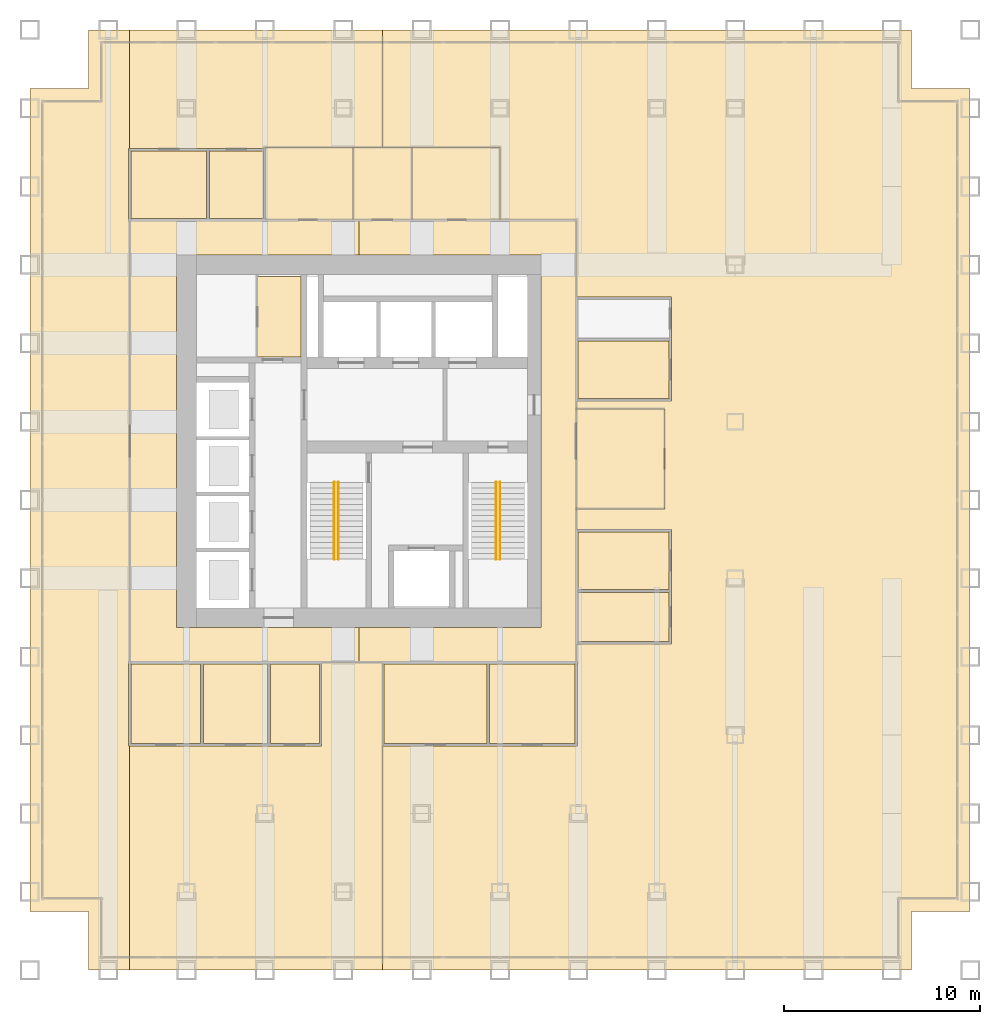
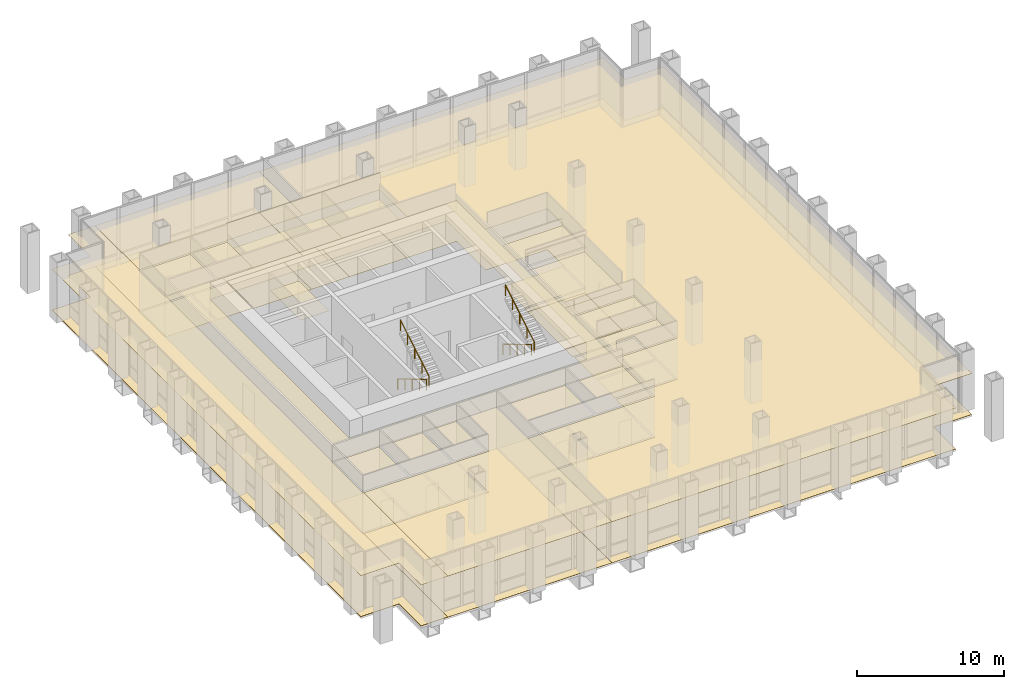
# One storey, part 15 of 16: 39 coverings, 4 railings.
"""IFC4 building model written with IfcOpenShell, lengths in metres."""

import ifcopenshell
import ifcopenshell.guid

model = None  # the IFC model being written
_history = None  # IfcOwnerHistory: only IFC2X3 demands one
_inside = {}  # id of a spatial element -> (the spatial element, [elements in it])
_under = {}  # id of a project, library or spatial element -> (it, [spatial elements below it])
_declared = {}  # id of a project -> (the project, [libraries it declares])
_typed = {}  # id of a type object -> (the type object, [elements of that type])
_made_of = {}  # id of a material, layer set ... -> (it, [elements and type objects made of it])


def new_model(schema):
    """Start an empty IFC model of exactly this schema.

    Asked for "IFC4X3", IfcOpenShell would pick the latest addendum, in which some entities
    have other attributes; the version numbers below select the first issue.
    IFC2X3 requires an IfcOwnerHistory on every rooted entity: one is made here for all.
    """
    global model, _history
    if schema == "IFC4X3":
        model = ifcopenshell.file(schema_version=(4, 3, 0, 0))
    else:
        model = ifcopenshell.file(schema=schema)
    _inside.clear()
    _under.clear()
    _declared.clear()
    _typed.clear()
    _made_of.clear()
    _history = None
    if model.schema == "IFC2X3":
        org = make("IfcOrganization", Name="unknown")
        user = make(
            "IfcPersonAndOrganization",
            ThePerson=make("IfcPerson", FamilyName="unknown"),
            TheOrganization=org,
        )
        app = make(
            "IfcApplication",
            ApplicationDeveloper=org,
            Version="unknown",
            ApplicationFullName="unknown",
            ApplicationIdentifier="unknown",
        )
        _history = make(
            "IfcOwnerHistory",
            OwningUser=user,
            OwningApplication=app,
            ChangeAction="ADDED",
            CreationDate=0,
        )
    return model


def make(cls, **values):
    """One entity of the class cls with the attributes given. An attribute that is None is left unset."""
    return model.create_entity(
        cls, **{name: value for name, value in values.items() if value is not None}
    )


def rooted(cls, **values):
    """An entity with a GlobalId (a new one), such as an element, a storey or a relation."""
    return make(cls, GlobalId=ifcopenshell.guid.new(), OwnerHistory=_history, **values)


def si_unit(unit_type, name, prefix=None):
    """IfcSIUnit, for example si_unit("LENGTHUNIT", "METRE", prefix="MILLI")."""
    return make("IfcSIUnit", UnitType=unit_type, Prefix=prefix, Name=name)


def assignment(units):
    """IfcUnitAssignment: the units of a project."""
    return None if units is None else make("IfcUnitAssignment", Units=units)


def point(xyz):
    """IfcCartesianPoint."""
    return None if xyz is None else make("IfcCartesianPoint", Coordinates=xyz)


def direction(xyz):
    """IfcDirection."""
    return None if xyz is None else make("IfcDirection", DirectionRatios=xyz)


def frame(location, z_axis=None, x_axis=None):
    """IfcAxis2Placement3D, a coordinate frame: its origin and axes. An axis left out is left unset."""
    return make(
        "IfcAxis2Placement3D",
        Location=point(location),
        Axis=direction(z_axis),
        RefDirection=direction(x_axis),
    )


def frame_2d(location, x_axis=None):
    """IfcAxis2Placement2D, a coordinate frame in the plane: its origin and x axis."""
    return make(
        "IfcAxis2Placement2D", Location=point(location), RefDirection=direction(x_axis)
    )


def origin():
    """The frame at (0, 0, 0) with its axes left unset."""
    return frame((0.0, 0.0, 0.0))


def origin_2d():
    """The frame at (0, 0) in the plane with its x axis left unset."""
    return frame_2d((0.0, 0.0))


def place(relative_to, where):
    """IfcLocalPlacement: puts the frame where relative to a parent placement (None: the world)."""
    return make(
        "IfcLocalPlacement", PlacementRelTo=relative_to, RelativePlacement=where
    )


def context(
    kind, dimensions, precision=None, world=None, true_north=None, identifier=None
):
    """IfcGeometricRepresentationContext, for example the 3D "Model" context."""
    return make(
        "IfcGeometricRepresentationContext",
        ContextIdentifier=identifier,
        ContextType=kind,
        CoordinateSpaceDimension=dimensions,
        Precision=precision,
        WorldCoordinateSystem=world,
        TrueNorth=true_north,
    )


def subcontext(parent, identifier, kind, view, scale=None):
    """IfcGeometricRepresentationSubContext, for example "Body" below "Model"."""
    return make(
        "IfcGeometricRepresentationSubContext",
        ContextIdentifier=identifier,
        ContextType=kind,
        ParentContext=parent,
        TargetScale=scale,
        TargetView=view,
    )


def project(units=None, contexts=None):
    """IfcProject with its units and contexts."""
    return rooted(
        "IfcProject",
        Name="project",
        RepresentationContexts=contexts,
        UnitsInContext=assignment(units),
    )


def spatial(cls, under=None, at=None, **own):
    """A site, building, storey or space (cls), placed at a placement, below another one or the project."""
    s = rooted(cls, ObjectPlacement=at, **own)
    if under is not None:
        _under.setdefault(under.id(), (under, []))[1].append(s)
    return s


def polyline(points):
    """IfcPolyline through the points."""
    return make("IfcPolyline", Points=[point(p) for p in points])


def profile(cls, at=None, kind="AREA", **sizes):
    """A parametric profile (cls). Its sizes go by their IFC names, for example OverallWidth=200.0."""
    return make(cls, ProfileType=kind, Position=at, **sizes)


def circle(**sizes):
    """IfcCircleProfileDef."""
    return profile("IfcCircleProfileDef", **sizes)


def outline(outer, holes=None, kind="AREA"):
    """IfcArbitraryClosedProfileDef: a profile drawn as a closed curve; with holes, ...WithVoids."""
    if holes is None:
        return make("IfcArbitraryClosedProfileDef", ProfileType=kind, OuterCurve=outer)
    return make(
        "IfcArbitraryProfileDefWithVoids",
        ProfileType=kind,
        OuterCurve=outer,
        InnerCurves=holes,
    )


def extrude(swept, where, along, depth):
    """IfcExtrudedAreaSolid: the profile swept, set in the frame where, extruded along a direction by depth."""
    return make(
        "IfcExtrudedAreaSolid",
        SweptArea=swept,
        Position=where,
        ExtrudedDirection=direction(along),
        Depth=depth,
    )


def shape(context_of_items, identifier, shape_type, items):
    """IfcShapeRepresentation: the items that make up one representation, for example the "Body"."""
    return make(
        "IfcShapeRepresentation",
        ContextOfItems=context_of_items,
        RepresentationIdentifier=identifier,
        RepresentationType=shape_type,
        Items=items,
    )


def material(Name=None, Category=None):
    """IfcMaterial."""
    return make("IfcMaterial", Name=Name, Category=Category)


def layer(
    of_material, thickness, ventilated=None, Name=None, Category=None, Priority=None
):
    """IfcMaterialLayer: one layer of a wall or slab, of a material (None: an air gap)."""
    return make(
        "IfcMaterialLayer",
        Material=of_material,
        LayerThickness=thickness,
        IsVentilated=ventilated,
        Name=Name,
        Category=Category,
        Priority=Priority,
    )


def layer_set(layers, Name=None):
    """IfcMaterialLayerSet."""
    return make("IfcMaterialLayerSet", MaterialLayers=layers, LayerSetName=Name)


def made_of(thing, what):
    """Note that an element or type object is made of a material, layer set ...; save() writes the relation."""
    if what is not None:
        _made_of.setdefault(what.id(), (what, []))[1].append(thing)
    return thing


def type_object(cls, material=None, **own):
    """A type object (cls), such as IfcWallType, which elements share."""
    return made_of(rooted(cls, **own), material)


def element(
    cls,
    number,
    at=None,
    inside=None,
    cuts=None,
    type_object=None,
    material=None,
    context=None,
    identifier="Body",
    shape_type=None,
    held_by="IfcProductDefinitionShape",
    body=None,
    shapes=None,
    **own,
):
    """One element of the class cls, such as IfcWall. Its Tag is "e" and its number.

    at: its placement. inside: the storey or other place that contains it. cuts: it is an
    opening in that element (IfcRelVoidsElement). A single representation is given by context,
    identifier, shape_type and body (its items); several are given by shapes. held_by: the class
    of the entity that holds the representations. save() writes the other relations.
    """
    e = rooted(cls, Tag="e%d" % number, ObjectPlacement=at, **own)
    if body is not None:
        shapes = [shape(context, identifier, shape_type, body)]
    if shapes is not None:
        e.Representation = make(held_by, Representations=shapes)
    if inside is not None:
        _inside.setdefault(inside.id(), (inside, []))[1].append(e)
    if cuts is not None:
        rooted(
            "IfcRelVoidsElement", RelatingBuildingElement=cuts, RelatedOpeningElement=e
        )
    if type_object is not None:
        _typed.setdefault(type_object.id(), (type_object, []))[1].append(e)
    return made_of(e, material)


def aggregate(whole, parts):
    """IfcRelAggregates: a whole, such as a stair, and the parts it consists of."""
    return rooted("IfcRelAggregates", RelatingObject=whole, RelatedObjects=parts)


def save(model, path):
    """Write the relations noted so far, then the file.

    IfcRelAggregates (storeys below a building ...), IfcRelContainedInSpatialStructure (elements
    in a storey), IfcRelDefinesByType, IfcRelAssociatesMaterial and IfcRelDeclares: one each for
    every whole, place, type object, material and project.
    """
    for whole, parts in _under.values():
        aggregate(whole, parts)
    for where, things in _inside.values():
        rooted(
            "IfcRelContainedInSpatialStructure",
            RelatedElements=things,
            RelatingStructure=where,
        )
    for kind, things in _typed.values():
        rooted("IfcRelDefinesByType", RelatedObjects=things, RelatingType=kind)
    for what, things in _made_of.values():
        rooted("IfcRelAssociatesMaterial", RelatedObjects=things, RelatingMaterial=what)
    for by, libraries in _declared.values():
        rooted("IfcRelDeclares", RelatingContext=by, RelatedDefinitions=libraries)
    model.write(path)


model = new_model("IFC4")

# Units and contexts
model_context = context("Model", 3, precision=1e-05, world=origin(), true_north=direction((0.0, 1.0)))
body_context = subcontext(model_context, "Body", "Model", "MODEL_VIEW")
ifc_project = project(units=[si_unit("LENGTHUNIT", "METRE"), si_unit("AREAUNIT", "SQUARE_METRE"), si_unit("VOLUMEUNIT", "CUBIC_METRE"), si_unit("PLANEANGLEUNIT", "RADIAN"), si_unit("MASSUNIT", "GRAM", prefix="KILO")], contexts=[model_context])

# Site, building, storey
site_placement = place(None, origin())
site = spatial("IfcSite", under=ifc_project, at=site_placement, CompositionType="ELEMENT")
building_placement = place(site_placement, origin())
building = spatial("IfcBuilding", under=site, at=building_placement, Name="Rimbunsela Tower", CompositionType="ELEMENT")
storey_placement = place(building_placement, frame((0.0, 0.0, 76.39990234375)))
storey = spatial("IfcBuildingStorey", under=building, at=storey_placement, Name="L18", CompositionType="ELEMENT", Elevation=76.39990234375)

# Coverings
ifc_material_1 = material(Name="Nylon carpet tile", Category="textile")
ifc_layer_1 = layer(ifc_material_1, 0.010009765625)
ifc_layer_set_1 = layer_set([ifc_layer_1], Name="Carpet tile 10")
covering_type_1 = type_object("IfcCoveringType", Name="Carpet tile 10", PredefinedType="FLOORING", material=ifc_layer_set_1)
covering_1_placement = place(storey_placement, origin())
element("IfcCovering", 1, at=covering_1_placement, inside=storey, type_object=covering_type_1, Name="Floor finish Business centre", PredefinedType="FLOORING", context=body_context, shape_type="SweptSolid", body=[
    extrude(outline(polyline([(18.85009765625, 11.449951171875), (22.14990234375, 11.449951171875), (22.25, 11.449951171875), (24.89990234375, 11.449951171875), (24.89990234375, 15.699951171875), (27.9990234375, 15.699951171875), (27.9990234375, 0.0), (15.10009765625, 0.0), (15.10009765625, 11.449951171875), (18.75, 11.449951171875), (18.85009765625, 11.449951171875)])), origin(), (0.0, 0.0, 1.0), 0.010009765625),
])
covering_2_placement = place(storey_placement, origin())
element("IfcCovering", 2, at=covering_2_placement, inside=storey, type_object=covering_type_1, Name="Floor finish Business centre", PredefinedType="FLOORING", context=body_context, shape_type="SweptSolid", body=[
    extrude(outline(polyline([(27.9990234375, 42.0), (22.0, 42.0), (22.0, 41.949951171875), (19.14990234375, 41.949951171875), (19.050048828125, 41.949951171875), (15.10009765625, 41.949951171875), (15.10009765625, 48.0), (27.9990234375, 48.0), (27.9990234375, 42.0)])), origin(), (0.0, 0.0, 1.0), 0.010009765625),
])
covering_3_placement = place(storey_placement, origin())
element("IfcCovering", 3, at=covering_3_placement, inside=storey, type_object=covering_type_1, Name="Floor finish Open office", PredefinedType="FLOORING", context=body_context, shape_type="SweptSolid", body=[
    extrude(outline(polyline([(28.0009765625, 11.449951171875), (33.35107421875, 11.449951171875), (33.450927734375, 11.449951171875), (37.89990234375, 11.449951171875), (37.949951171875, 11.449951171875), (37.949951171875, 15.75), (37.89990234375, 15.75), (37.89990234375, 16.64990234375), (42.75, 16.64990234375), (42.75, 19.300048828125), (42.75, 19.39990234375), (42.75, 22.5), (37.89990234375, 22.5), (37.89990234375, 23.550048828125), (42.39990234375, 23.550048828125), (42.39990234375, 28.64990234375), (37.89990234375, 28.64990234375), (37.89990234375, 29.050048828125), (42.75, 29.050048828125), (42.75, 32.14990234375), (42.75, 32.25), (42.75, 34.35009765625), (37.89990234375, 34.35009765625), (37.89990234375, 38.300048828125), (34.0, 38.300048828125), (34.0, 42.0), (28.0009765625, 42.0), (28.0009765625, 48.0), (37.89990234375, 48.0), (55.0, 48.0), (55.0, 45.0), (58.0, 45.0), (58.0, 3.0), (55.0, 3.0), (55.0, 0.0), (37.89990234375, 0.0), (28.0009765625, 0.0), (28.0009765625, 11.449951171875)])), origin(), (0.0, 0.0, 1.0), 0.010009765625),
])
covering_4_placement = place(storey_placement, origin())
element("IfcCovering", 4, at=covering_4_placement, inside=storey, type_object=covering_type_1, Name="Floor finish Reception", PredefinedType="FLOORING", context=body_context, shape_type="SweptSolid", body=[
    extrude(outline(polyline([(42.39990234375, 23.550048828125), (42.39990234375, 28.64990234375), (37.89990234375, 28.64990234375), (37.89990234375, 23.550048828125), (42.39990234375, 23.550048828125)])), origin(), (0.0, 0.0, 1.0), 0.010009765625),
])
covering_5_placement = place(storey_placement, origin())
element("IfcCovering", 5, at=covering_5_placement, inside=storey, type_object=covering_type_1, Name="Floor finish Meeting room", PredefinedType="FLOORING", context=body_context, shape_type="SweptSolid", body=[
    extrude(outline(polyline([(18.72509765625, 11.574951171875), (18.72509765625, 15.625), (15.175048828125, 15.625), (15.175048828125, 11.574951171875), (18.72509765625, 11.574951171875)])), origin(), (0.0, 0.0, 1.0), 0.010009765625),
])
covering_6_placement = place(storey_placement, origin())
element("IfcCovering", 6, at=covering_6_placement, inside=storey, type_object=covering_type_1, Name="Floor finish Pantry", PredefinedType="FLOORING", context=body_context, shape_type="SweptSolid", body=[
    extrude(outline(polyline([(22.125, 11.574951171875), (22.125, 15.625), (18.875, 15.625), (18.875, 11.574951171875), (22.125, 11.574951171875)])), origin(), (0.0, 0.0, 1.0), 0.010009765625),
])
covering_7_placement = place(storey_placement, origin())
element("IfcCovering", 7, at=covering_7_placement, inside=storey, type_object=covering_type_1, Name="Floor finish Print and copy room", PredefinedType="FLOORING", context=body_context, shape_type="SweptSolid", body=[
    extrude(outline(polyline([(24.77490234375, 11.574951171875), (24.77490234375, 15.625), (22.27490234375, 15.625), (22.27490234375, 11.574951171875), (24.77490234375, 11.574951171875)])), origin(), (0.0, 0.0, 1.0), 0.010009765625),
])
covering_8_placement = place(storey_placement, origin())
element("IfcCovering", 8, at=covering_8_placement, inside=storey, type_object=covering_type_1, Name="Floor finish Serviced office", PredefinedType="FLOORING", context=body_context, shape_type="SweptSolid", body=[
    extrude(outline(polyline([(19.02490234375, 38.375), (19.02490234375, 41.824951171875), (15.175048828125, 41.824951171875), (15.175048828125, 38.375), (19.02490234375, 38.375)])), origin(), (0.0, 0.0, 1.0), 0.010009765625),
])
covering_9_placement = place(storey_placement, origin())
element("IfcCovering", 9, at=covering_9_placement, inside=storey, type_object=covering_type_1, Name="Floor finish Concierge", PredefinedType="FLOORING", context=body_context, shape_type="SweptSolid", body=[
    extrude(outline(polyline([(21.925048828125, 38.375), (21.925048828125, 41.824951171875), (19.175048828125, 41.824951171875), (19.175048828125, 38.375), (21.925048828125, 38.375)])), origin(), (0.0, 0.0, 1.0), 0.010009765625),
])
covering_10_placement = place(storey_placement, origin())
element("IfcCovering", 10, at=covering_10_placement, inside=storey, type_object=covering_type_1, Name="Floor finish Meeting room", PredefinedType="FLOORING", context=body_context, shape_type="SweptSolid", body=[
    extrude(outline(polyline([(33.325927734375, 11.574951171875), (33.325927734375, 15.625), (28.075927734375, 15.625), (28.075927734375, 11.574951171875), (33.325927734375, 11.574951171875)])), origin(), (0.0, 0.0, 1.0), 0.010009765625),
])
covering_11_placement = place(storey_placement, origin())
element("IfcCovering", 11, at=covering_11_placement, inside=storey, type_object=covering_type_1, Name="Floor finish Pantry", PredefinedType="FLOORING", context=body_context, shape_type="SweptSolid", body=[
    extrude(outline(polyline([(37.824951171875, 11.574951171875), (37.824951171875, 15.625), (33.47607421875, 15.625), (33.47607421875, 11.574951171875), (37.824951171875, 11.574951171875)])), origin(), (0.0, 0.0, 1.0), 0.010009765625),
])
covering_12_placement = place(storey_placement, origin())
element("IfcCovering", 12, at=covering_12_placement, inside=storey, type_object=covering_type_1, Name="Floor finish Print and copy room", PredefinedType="FLOORING", context=body_context, shape_type="SweptSolid", body=[
    extrude(outline(polyline([(42.625, 16.77490234375), (42.625, 19.27490234375), (37.97509765625, 19.27490234375), (37.97509765625, 16.77490234375), (42.625, 16.77490234375)])), origin(), (0.0, 0.0, 1.0), 0.010009765625),
])
covering_13_placement = place(storey_placement, origin())
element("IfcCovering", 13, at=covering_13_placement, inside=storey, type_object=covering_type_1, Name="Floor finish Office", PredefinedType="FLOORING", context=body_context, shape_type="SweptSolid", body=[
    extrude(outline(polyline([(42.625, 19.425048828125), (42.625, 22.375), (37.97509765625, 22.375), (37.97509765625, 19.425048828125), (42.625, 19.425048828125)])), origin(), (0.0, 0.0, 1.0), 0.010009765625),
])
covering_14_placement = place(storey_placement, origin())
element("IfcCovering", 14, at=covering_14_placement, inside=storey, type_object=covering_type_1, Name="Floor finish Office", PredefinedType="FLOORING", context=body_context, shape_type="SweptSolid", body=[
    extrude(outline(polyline([(42.625, 29.175048828125), (42.625, 32.125), (37.97509765625, 32.125), (37.97509765625, 29.175048828125), (42.625, 29.175048828125)])), origin(), (0.0, 0.0, 1.0), 0.010009765625),
])
ifc_material_2 = material(Name="Mineral fibre ceiling tile", Category="gypsum")
ifc_layer_2 = layer(ifc_material_2, 0.02001953125)
ifc_layer_set_2 = layer_set([ifc_layer_2], Name="Ceiling 600 grid")
covering_type_2 = type_object("IfcCoveringType", Name="Ceiling 600 grid", PredefinedType="CEILING", material=ifc_layer_set_2)
covering_15_placement = place(storey_placement, frame((0.0, 0.0, 3.400146484375)))
element("IfcCovering", 15, at=covering_15_placement, inside=storey, type_object=covering_type_2, Name="Ceiling Staff pantry", PredefinedType="CEILING", context=body_context, shape_type="SweptSolid", body=[
    extrude(outline(polyline([(23.85009765625, 31.300048828125), (23.85009765625, 35.39990234375), (21.60009765625, 35.39990234375), (21.60009765625, 31.300048828125), (23.85009765625, 31.300048828125)])), origin(), (0.0, 0.0, 1.0), 0.02001953125),
])
covering_16_placement = place(storey_placement, frame((0.0, 0.0, 3.400146484375)))
element("IfcCovering", 16, at=covering_16_placement, inside=storey, type_object=covering_type_2, Name="Ceiling Ring corridor", PredefinedType="CEILING", context=body_context, shape_type="SweptSolid", body=[
    extrude(outline(polyline([(15.10009765625, 38.300048828125), (26.800048828125, 38.300048828125), (26.800048828125, 36.5), (17.5, 36.5), (17.5, 17.5), (26.800048828125, 17.5), (26.800048828125, 15.699951171875), (15.10009765625, 15.699951171875), (15.10009765625, 38.300048828125)])), origin(), (0.0, 0.0, 1.0), 0.02001953125),
])
covering_17_placement = place(storey_placement, frame((0.0, 0.0, 3.400146484375)))
element("IfcCovering", 17, at=covering_17_placement, inside=storey, type_object=covering_type_2, Name="Ceiling Ring corridor", PredefinedType="CEILING", context=body_context, shape_type="SweptSolid", body=[
    extrude(outline(polyline([(37.89990234375, 38.300048828125), (37.89990234375, 15.699951171875), (26.800048828125, 15.699951171875), (26.800048828125, 17.5), (36.10009765625, 17.5), (36.10009765625, 36.5), (26.800048828125, 36.5), (26.800048828125, 38.300048828125), (37.89990234375, 38.300048828125)])), origin(), (0.0, 0.0, 1.0), 0.02001953125),
])
covering_18_placement = place(storey_placement, frame((0.0, 0.0, 3.400146484375)))
element("IfcCovering", 18, at=covering_18_placement, inside=storey, type_object=covering_type_2, Name="Ceiling Business centre", PredefinedType="CEILING", context=body_context, shape_type="SweptSolid", body=[
    extrude(outline(polyline([(18.85009765625, 11.449951171875), (22.14990234375, 11.449951171875), (22.25, 11.449951171875), (24.89990234375, 11.449951171875), (24.89990234375, 15.699951171875), (27.9990234375, 15.699951171875), (27.9990234375, 0.0), (15.10009765625, 0.0), (15.10009765625, 11.449951171875), (18.75, 11.449951171875), (18.85009765625, 11.449951171875)])), origin(), (0.0, 0.0, 1.0), 0.02001953125),
])
covering_19_placement = place(storey_placement, frame((0.0, 0.0, 3.400146484375)))
element("IfcCovering", 19, at=covering_19_placement, inside=storey, type_object=covering_type_2, Name="Ceiling Business centre", PredefinedType="CEILING", context=body_context, shape_type="SweptSolid", body=[
    extrude(outline(polyline([(27.9990234375, 42.0), (22.0, 42.0), (22.0, 41.949951171875), (19.14990234375, 41.949951171875), (19.050048828125, 41.949951171875), (15.10009765625, 41.949951171875), (15.10009765625, 48.0), (27.9990234375, 48.0), (27.9990234375, 42.0)])), origin(), (0.0, 0.0, 1.0), 0.02001953125),
])
covering_20_placement = place(storey_placement, frame((0.0, 0.0, 3.400146484375)))
element("IfcCovering", 20, at=covering_20_placement, inside=storey, type_object=covering_type_2, Name="Ceiling Open office", PredefinedType="CEILING", context=body_context, shape_type="SweptSolid", body=[
    extrude(outline(polyline([(28.0009765625, 11.449951171875), (33.35107421875, 11.449951171875), (33.450927734375, 11.449951171875), (37.89990234375, 11.449951171875), (37.949951171875, 11.449951171875), (37.949951171875, 15.75), (37.89990234375, 15.75), (37.89990234375, 16.64990234375), (42.75, 16.64990234375), (42.75, 19.300048828125), (42.75, 19.39990234375), (42.75, 22.5), (37.89990234375, 22.5), (37.89990234375, 23.550048828125), (42.39990234375, 23.550048828125), (42.39990234375, 28.64990234375), (37.89990234375, 28.64990234375), (37.89990234375, 29.050048828125), (42.75, 29.050048828125), (42.75, 32.14990234375), (42.75, 32.25), (42.75, 34.35009765625), (37.89990234375, 34.35009765625), (37.89990234375, 38.300048828125), (34.0, 38.300048828125), (34.0, 42.0), (28.0009765625, 42.0), (28.0009765625, 48.0), (37.89990234375, 48.0), (55.0, 48.0), (55.0, 45.0), (58.0, 45.0), (58.0, 3.0), (55.0, 3.0), (55.0, 0.0), (37.89990234375, 0.0), (28.0009765625, 0.0), (28.0009765625, 11.449951171875)])), origin(), (0.0, 0.0, 1.0), 0.02001953125),
])
covering_21_placement = place(storey_placement, frame((0.0, 0.0, 3.400146484375)))
element("IfcCovering", 21, at=covering_21_placement, inside=storey, type_object=covering_type_2, Name="Ceiling Reception", PredefinedType="CEILING", context=body_context, shape_type="SweptSolid", body=[
    extrude(outline(polyline([(42.39990234375, 23.550048828125), (42.39990234375, 28.64990234375), (37.89990234375, 28.64990234375), (37.89990234375, 23.550048828125), (42.39990234375, 23.550048828125)])), origin(), (0.0, 0.0, 1.0), 0.02001953125),
])
covering_22_placement = place(storey_placement, frame((0.0, 0.0, 3.400146484375)))
element("IfcCovering", 22, at=covering_22_placement, inside=storey, type_object=covering_type_2, Name="Ceiling Meeting room", PredefinedType="CEILING", context=body_context, shape_type="SweptSolid", body=[
    extrude(outline(polyline([(18.72509765625, 11.574951171875), (18.72509765625, 15.625), (15.175048828125, 15.625), (15.175048828125, 11.574951171875), (18.72509765625, 11.574951171875)])), origin(), (0.0, 0.0, 1.0), 0.02001953125),
])
covering_23_placement = place(storey_placement, frame((0.0, 0.0, 3.400146484375)))
element("IfcCovering", 23, at=covering_23_placement, inside=storey, type_object=covering_type_2, Name="Ceiling Pantry", PredefinedType="CEILING", context=body_context, shape_type="SweptSolid", body=[
    extrude(outline(polyline([(22.125, 11.574951171875), (22.125, 15.625), (18.875, 15.625), (18.875, 11.574951171875), (22.125, 11.574951171875)])), origin(), (0.0, 0.0, 1.0), 0.02001953125),
])
covering_24_placement = place(storey_placement, frame((0.0, 0.0, 3.400146484375)))
element("IfcCovering", 24, at=covering_24_placement, inside=storey, type_object=covering_type_2, Name="Ceiling Print and copy room", PredefinedType="CEILING", context=body_context, shape_type="SweptSolid", body=[
    extrude(outline(polyline([(24.77490234375, 11.574951171875), (24.77490234375, 15.625), (22.27490234375, 15.625), (22.27490234375, 11.574951171875), (24.77490234375, 11.574951171875)])), origin(), (0.0, 0.0, 1.0), 0.02001953125),
])
covering_25_placement = place(storey_placement, frame((0.0, 0.0, 3.400146484375)))
element("IfcCovering", 25, at=covering_25_placement, inside=storey, type_object=covering_type_2, Name="Ceiling Serviced office", PredefinedType="CEILING", context=body_context, shape_type="SweptSolid", body=[
    extrude(outline(polyline([(19.02490234375, 38.375), (19.02490234375, 41.824951171875), (15.175048828125, 41.824951171875), (15.175048828125, 38.375), (19.02490234375, 38.375)])), origin(), (0.0, 0.0, 1.0), 0.02001953125),
])
covering_26_placement = place(storey_placement, frame((0.0, 0.0, 3.400146484375)))
element("IfcCovering", 26, at=covering_26_placement, inside=storey, type_object=covering_type_2, Name="Ceiling Concierge", PredefinedType="CEILING", context=body_context, shape_type="SweptSolid", body=[
    extrude(outline(polyline([(21.925048828125, 38.375), (21.925048828125, 41.824951171875), (19.175048828125, 41.824951171875), (19.175048828125, 38.375), (21.925048828125, 38.375)])), origin(), (0.0, 0.0, 1.0), 0.02001953125),
])
covering_27_placement = place(storey_placement, frame((0.0, 0.0, 3.400146484375)))
element("IfcCovering", 27, at=covering_27_placement, inside=storey, type_object=covering_type_2, Name="Ceiling Meeting room", PredefinedType="CEILING", context=body_context, shape_type="SweptSolid", body=[
    extrude(outline(polyline([(33.325927734375, 11.574951171875), (33.325927734375, 15.625), (28.075927734375, 15.625), (28.075927734375, 11.574951171875), (33.325927734375, 11.574951171875)])), origin(), (0.0, 0.0, 1.0), 0.02001953125),
])
covering_28_placement = place(storey_placement, frame((0.0, 0.0, 3.400146484375)))
element("IfcCovering", 28, at=covering_28_placement, inside=storey, type_object=covering_type_2, Name="Ceiling Pantry", PredefinedType="CEILING", context=body_context, shape_type="SweptSolid", body=[
    extrude(outline(polyline([(37.824951171875, 11.574951171875), (37.824951171875, 15.625), (33.47607421875, 15.625), (33.47607421875, 11.574951171875), (37.824951171875, 11.574951171875)])), origin(), (0.0, 0.0, 1.0), 0.02001953125),
])
covering_29_placement = place(storey_placement, frame((0.0, 0.0, 3.400146484375)))
element("IfcCovering", 29, at=covering_29_placement, inside=storey, type_object=covering_type_2, Name="Ceiling Print and copy room", PredefinedType="CEILING", context=body_context, shape_type="SweptSolid", body=[
    extrude(outline(polyline([(42.625, 16.77490234375), (42.625, 19.27490234375), (37.97509765625, 19.27490234375), (37.97509765625, 16.77490234375), (42.625, 16.77490234375)])), origin(), (0.0, 0.0, 1.0), 0.02001953125),
])
covering_30_placement = place(storey_placement, frame((0.0, 0.0, 3.400146484375)))
element("IfcCovering", 30, at=covering_30_placement, inside=storey, type_object=covering_type_2, Name="Ceiling Office", PredefinedType="CEILING", context=body_context, shape_type="SweptSolid", body=[
    extrude(outline(polyline([(42.625, 19.425048828125), (42.625, 22.375), (37.97509765625, 22.375), (37.97509765625, 19.425048828125), (42.625, 19.425048828125)])), origin(), (0.0, 0.0, 1.0), 0.02001953125),
])
covering_31_placement = place(storey_placement, frame((0.0, 0.0, 3.400146484375)))
element("IfcCovering", 31, at=covering_31_placement, inside=storey, type_object=covering_type_2, Name="Ceiling Office", PredefinedType="CEILING", context=body_context, shape_type="SweptSolid", body=[
    extrude(outline(polyline([(42.625, 29.175048828125), (42.625, 32.125), (37.97509765625, 32.125), (37.97509765625, 29.175048828125), (42.625, 29.175048828125)])), origin(), (0.0, 0.0, 1.0), 0.02001953125),
])
ifc_material_3 = material(Name="Moisture-resistant plasterboard ceiling", Category="gypsum")
ifc_layer_3 = layer(ifc_material_3, 0.012451171875)
ifc_layer_set_3 = layer_set([ifc_layer_3], Name="Ceiling moisture-resistant board")
covering_type_3 = type_object("IfcCoveringType", Name="Ceiling moisture-resistant board", PredefinedType="CEILING", material=ifc_layer_set_3)
covering_32_placement = place(storey_placement, frame((0.0, 0.0, 2.60009765625)))
element("IfcCovering", 32, at=covering_32_placement, inside=storey, type_object=covering_type_3, Name="Ceiling Female WC", PredefinedType="CEILING", context=body_context, shape_type="SweptSolid", body=[
    extrude(outline(polyline([(26.5, 38.300048828125), (26.5, 42.0), (22.0, 42.0), (22.0, 38.300048828125), (26.5, 38.300048828125)])), origin(), (0.0, 0.0, 1.0), 0.02001953125),
])
covering_33_placement = place(storey_placement, frame((0.0, 0.0, 2.60009765625)))
element("IfcCovering", 33, at=covering_33_placement, inside=storey, type_object=covering_type_3, Name="Ceiling Accessible WC", PredefinedType="CEILING", context=body_context, shape_type="SweptSolid", body=[
    extrude(outline(polyline([(29.5, 38.300048828125), (29.5, 42.0), (26.5, 42.0), (26.5, 38.300048828125), (29.5, 38.300048828125)])), origin(), (0.0, 0.0, 1.0), 0.02001953125),
])
covering_34_placement = place(storey_placement, frame((0.0, 0.0, 2.60009765625)))
element("IfcCovering", 34, at=covering_34_placement, inside=storey, type_object=covering_type_3, Name="Ceiling Male WC", PredefinedType="CEILING", context=body_context, shape_type="SweptSolid", body=[
    extrude(outline(polyline([(34.0, 38.300048828125), (34.0, 42.0), (29.5, 42.0), (29.5, 38.300048828125), (34.0, 38.300048828125)])), origin(), (0.0, 0.0, 1.0), 0.02001953125),
])
ifc_material_4 = material(Name="Timber slat ceiling on suspension grid", Category="wood")
ifc_layer_4 = layer(ifc_material_4, 0.0400390625)
ifc_layer_set_4 = layer_set([ifc_layer_4], Name="Ceiling timber slat")
covering_type_4 = type_object("IfcCoveringType", Name="Ceiling timber slat", PredefinedType="CEILING", material=ifc_layer_set_4)
covering_35_placement = place(storey_placement, frame((0.0, 0.0, 3.400146484375)))
element("IfcCovering", 35, at=covering_35_placement, inside=storey, type_object=covering_type_4, Name="Ceiling Sky lobby", PredefinedType="CEILING", context=body_context, shape_type="SweptSolid", body=[
    extrude(outline(polyline([(15.10009765625, 48.0), (15.10009765625, 41.949951171875), (15.050048828125, 41.949951171875), (15.050048828125, 38.25), (15.10009765625, 38.25), (15.10009765625, 15.75), (15.050048828125, 15.75), (15.050048828125, 11.449951171875), (15.10009765625, 11.449951171875), (15.10009765625, 0.0), (13.0, 0.0), (13.0, 3.0), (10.0, 3.0), (10.0, 45.0), (13.0, 45.0), (13.0, 48.0), (15.10009765625, 48.0)])), origin(), (0.0, 0.0, 1.0), 0.02001953125),
])
ifc_material_5 = material(Name="Honed granite floor on mortar bed", Category="masonry")
ifc_layer_5 = layer(ifc_material_5, 0.030029296875)
ifc_layer_set_5 = layer_set([ifc_layer_5], Name="Granite floor 30")
covering_type_5 = type_object("IfcCoveringType", Name="Granite floor 30", PredefinedType="FLOORING", material=ifc_layer_set_5)
covering_36_placement = place(storey_placement, origin())
element("IfcCovering", 36, at=covering_36_placement, inside=storey, type_object=covering_type_5, Name="Floor finish Sky lobby", PredefinedType="FLOORING", context=body_context, shape_type="SweptSolid", body=[
    extrude(outline(polyline([(15.10009765625, 48.0), (15.10009765625, 41.949951171875), (15.050048828125, 41.949951171875), (15.050048828125, 38.25), (15.10009765625, 38.25), (15.10009765625, 15.75), (15.050048828125, 15.75), (15.050048828125, 11.449951171875), (15.10009765625, 11.449951171875), (15.10009765625, 0.0), (13.0, 0.0), (13.0, 3.0), (10.0, 3.0), (10.0, 45.0), (13.0, 45.0), (13.0, 48.0), (15.10009765625, 48.0)])), origin(), (0.0, 0.0, 1.0), 0.030029296875),
])
ifc_material_6 = material(Name="Porcelain floor tile in adhesive bed", Category="ceramic")
ifc_layer_6 = layer(ifc_material_6, 0.02001953125)
ifc_layer_set_6 = layer_set([ifc_layer_6], Name="Porcelain tile 20")
covering_type_6 = type_object("IfcCoveringType", Name="Porcelain tile 20", PredefinedType="FLOORING", material=ifc_layer_set_6)
covering_37_placement = place(storey_placement, origin())
element("IfcCovering", 37, at=covering_37_placement, inside=storey, type_object=covering_type_6, Name="Floor finish Female WC", PredefinedType="FLOORING", context=body_context, shape_type="SweptSolid", body=[
    extrude(outline(polyline([(26.5, 38.300048828125), (26.5, 42.0), (22.0, 42.0), (22.0, 38.300048828125), (26.5, 38.300048828125)])), origin(), (0.0, 0.0, 1.0), 0.02001953125),
])
covering_38_placement = place(storey_placement, origin())
element("IfcCovering", 38, at=covering_38_placement, inside=storey, type_object=covering_type_6, Name="Floor finish Accessible WC", PredefinedType="FLOORING", context=body_context, shape_type="SweptSolid", body=[
    extrude(outline(polyline([(29.5, 38.300048828125), (29.5, 42.0), (26.5, 42.0), (26.5, 38.300048828125), (29.5, 38.300048828125)])), origin(), (0.0, 0.0, 1.0), 0.02001953125),
])
covering_39_placement = place(storey_placement, origin())
element("IfcCovering", 39, at=covering_39_placement, inside=storey, type_object=covering_type_6, Name="Floor finish Male WC", PredefinedType="FLOORING", context=body_context, shape_type="SweptSolid", body=[
    extrude(outline(polyline([(34.0, 38.300048828125), (34.0, 42.0), (29.5, 42.0), (29.5, 38.300048828125), (34.0, 38.300048828125)])), origin(), (0.0, 0.0, 1.0), 0.02001953125),
])

# Railings
ifc_material_7 = material(Name="Stainless steel tube", Category="steel")
railing_type = type_object("IfcRailingType", Name="Stair handrail 900", PredefinedType="HANDRAIL", material=ifc_material_7)
railing_1_placement = place(storey_placement, frame((25.550048828125, 24.89990234375, 0.166748046875)))
element("IfcRailing", 40, at=railing_1_placement, inside=storey, type_object=railing_type, Name="Handrail ST-A flight 1", PredefinedType="HANDRAIL", context=body_context, shape_type="SweptSolid", body=[
    extrude(circle(Radius=0.02392578125, at=origin_2d()), frame((0.0, 0.0, 0.8759765625), z_axis=(0.0, -0.859296244711, 0.511478214419), x_axis=(1.0, 0.0, 0.0)), (0.0, 0.0, 1.0), 4.561767578125),
    extrude(circle(Radius=0.02099609375, at=origin_2d()), origin(), (0.0, 0.0, 1.0), 0.851806640625),
    extrude(circle(Radius=0.02099609375, at=origin_2d()), frame((0.0, -0.97998046875, 0.583251953125)), (0.0, 0.0, 1.0), 0.851806640625),
    extrude(circle(Radius=0.02099609375, at=origin_2d()), frame((0.0, -1.9599609375, 1.16650390625)), (0.0, 0.0, 1.0), 0.851806640625),
    extrude(circle(Radius=0.02099609375, at=origin_2d()), frame((0.0, -2.93994140625, 1.75)), (0.0, 0.0, 1.0), 0.851806640625),
    extrude(circle(Radius=0.02099609375, at=origin_2d()), frame((0.0, -3.919921875, 2.333251953125)), (0.0, 0.0, 1.0), 0.851806640625),
])
railing_2_placement = place(storey_placement, frame((25.75, 20.97998046875, 2.666748046875)))
element("IfcRailing", 41, at=railing_2_placement, inside=storey, type_object=railing_type, Name="Handrail ST-A flight 2", PredefinedType="HANDRAIL", context=body_context, shape_type="SweptSolid", body=[
    extrude(circle(Radius=0.02392578125, at=origin_2d()), frame((0.0, 0.0, 0.8759765625), z_axis=(0.0, 0.859296244711, 0.511478214419), x_axis=(-1.0, 0.0, 0.0)), (0.0, 0.0, 1.0), 4.561767578125),
    extrude(circle(Radius=0.02099609375, at=origin_2d()), origin(), (0.0, 0.0, 1.0), 0.851806640625),
    extrude(circle(Radius=0.02099609375, at=origin_2d()), frame((0.0, 0.97998046875, 0.583251953125)), (0.0, 0.0, 1.0), 0.851806640625),
    extrude(circle(Radius=0.02099609375, at=origin_2d()), frame((0.0, 1.9599609375, 1.16650390625)), (0.0, 0.0, 1.0), 0.851806640625),
    extrude(circle(Radius=0.02099609375, at=origin_2d()), frame((0.0, 2.93994140625, 1.75)), (0.0, 0.0, 1.0), 0.851806640625),
    extrude(circle(Radius=0.02099609375, at=origin_2d()), frame((0.0, 3.919921875, 2.333251953125)), (0.0, 0.0, 1.0), 0.851806640625),
])
railing_3_placement = place(storey_placement, frame((33.800048828125, 24.89990234375, 0.166748046875)))
element("IfcRailing", 42, at=railing_3_placement, inside=storey, type_object=railing_type, Name="Handrail ST-B flight 1", PredefinedType="HANDRAIL", context=body_context, shape_type="SweptSolid", body=[
    extrude(circle(Radius=0.02392578125, at=origin_2d()), frame((0.0, 0.0, 0.8759765625), z_axis=(0.0, -0.859296244711, 0.511478214419), x_axis=(1.0, 0.0, 0.0)), (0.0, 0.0, 1.0), 4.561767578125),
    extrude(circle(Radius=0.02099609375, at=origin_2d()), origin(), (0.0, 0.0, 1.0), 0.851806640625),
    extrude(circle(Radius=0.02099609375, at=origin_2d()), frame((0.0, -0.97998046875, 0.583251953125)), (0.0, 0.0, 1.0), 0.851806640625),
    extrude(circle(Radius=0.02099609375, at=origin_2d()), frame((0.0, -1.9599609375, 1.16650390625)), (0.0, 0.0, 1.0), 0.851806640625),
    extrude(circle(Radius=0.02099609375, at=origin_2d()), frame((0.0, -2.93994140625, 1.75)), (0.0, 0.0, 1.0), 0.851806640625),
    extrude(circle(Radius=0.02099609375, at=origin_2d()), frame((0.0, -3.919921875, 2.333251953125)), (0.0, 0.0, 1.0), 0.851806640625),
])
railing_4_placement = place(storey_placement, frame((34.0, 20.97998046875, 2.666748046875)))
element("IfcRailing", 43, at=railing_4_placement, inside=storey, type_object=railing_type, Name="Handrail ST-B flight 2", PredefinedType="HANDRAIL", context=body_context, shape_type="SweptSolid", body=[
    extrude(circle(Radius=0.02392578125, at=origin_2d()), frame((0.0, 0.0, 0.8759765625), z_axis=(0.0, 0.859296244711, 0.511478214419), x_axis=(-1.0, 0.0, 0.0)), (0.0, 0.0, 1.0), 4.561767578125),
    extrude(circle(Radius=0.02099609375, at=origin_2d()), origin(), (0.0, 0.0, 1.0), 0.851806640625),
    extrude(circle(Radius=0.02099609375, at=origin_2d()), frame((0.0, 0.97998046875, 0.583251953125)), (0.0, 0.0, 1.0), 0.851806640625),
    extrude(circle(Radius=0.02099609375, at=origin_2d()), frame((0.0, 1.9599609375, 1.16650390625)), (0.0, 0.0, 1.0), 0.851806640625),
    extrude(circle(Radius=0.02099609375, at=origin_2d()), frame((0.0, 2.93994140625, 1.75)), (0.0, 0.0, 1.0), 0.851806640625),
    extrude(circle(Radius=0.02099609375, at=origin_2d()), frame((0.0, 3.919921875, 2.333251953125)), (0.0, 0.0, 1.0), 0.851806640625),
])

save(model, "model.ifc")
